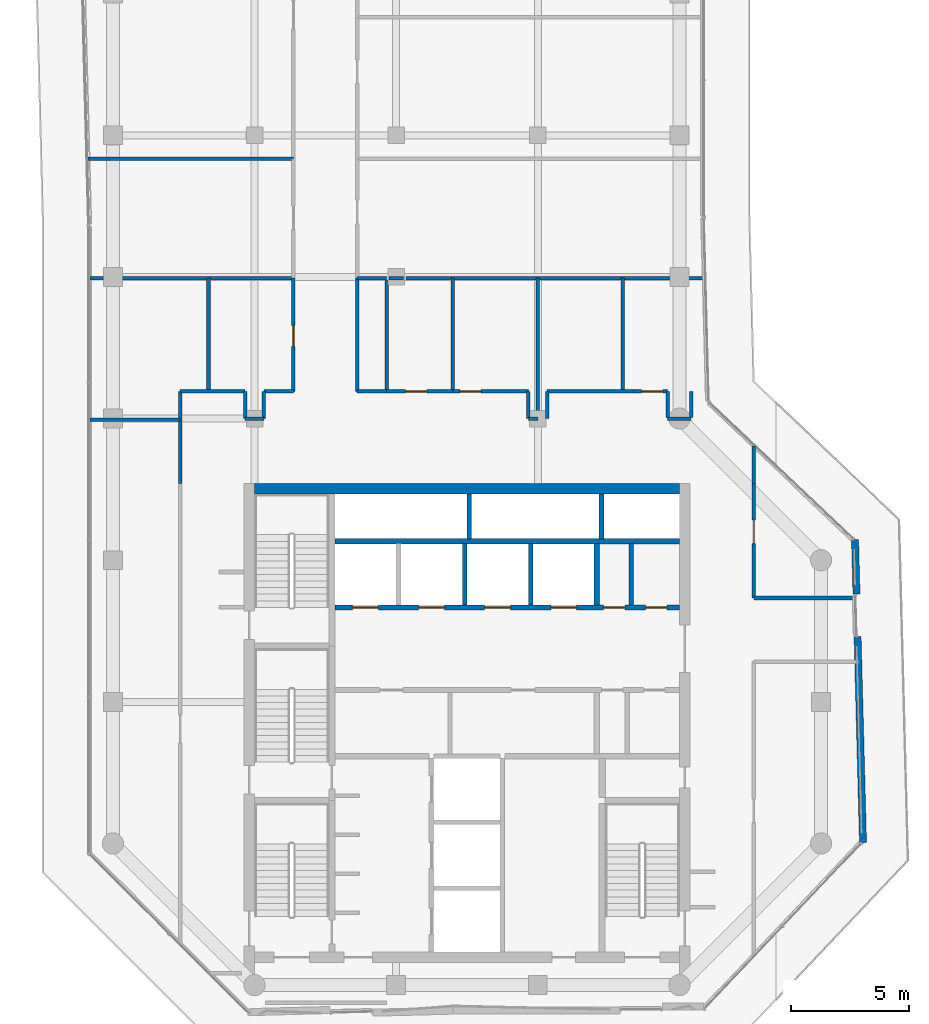
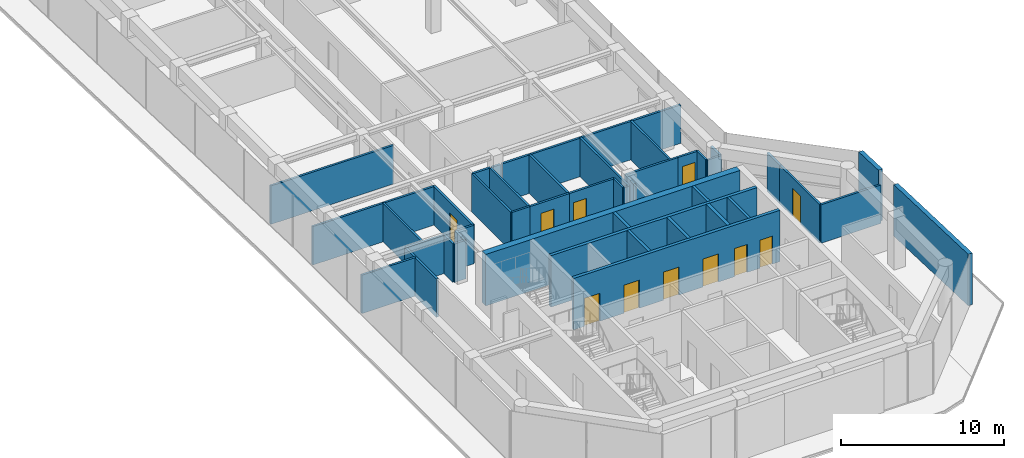
# One storey, part 17 of 20: 44 walls, 11 doors, 11 openings.
"""IFC4 building model written with IfcOpenShell, lengths in metres."""

from ifc_helpers import new_model, si_unit, direction, frame, frame_2d, origin, place, context, subcontext, project, spatial, rectangle, extrude, material, layer, layer_set, type_object, element, fill, save


model = new_model("IFC4")

# Units and contexts
model_context = context("Model", 3, precision=1e-05, world=origin(), true_north=direction((0.0, 1.0)))
body_context = subcontext(model_context, "Body", "Model", "MODEL_VIEW")
ifc_project = project(units=[si_unit("LENGTHUNIT", "METRE"), si_unit("AREAUNIT", "SQUARE_METRE"), si_unit("VOLUMEUNIT", "CUBIC_METRE"), si_unit("PLANEANGLEUNIT", "RADIAN"), si_unit("MASSUNIT", "GRAM", prefix="KILO")], contexts=[model_context])

# Site, building, storey
site_placement = place(None, origin())
site = spatial("IfcSite", under=ifc_project, at=site_placement, CompositionType="ELEMENT")
building_placement = place(site_placement, origin())
building = spatial("IfcBuilding", under=site, at=building_placement, Name="Welwitschia Terrace Campus", CompositionType="ELEMENT")
storey_placement = place(building_placement, frame((0.0, 0.0, 222.199951171875)))
storey = spatial("IfcBuildingStorey", under=building, at=storey_placement, Name="L49", CompositionType="ELEMENT", Elevation=222.199951171875)

# Wall
ifc_material_1 = material(Name="Concrete C32/40", Category="concrete")
ifc_layer_1 = layer(ifc_material_1, 0.175048828125)
ifc_layer_set_1 = layer_set([ifc_layer_1], Name="Concrete C32/40")
wall_type_1 = type_object("IfcWallType", Name="Core partition 175 Concrete C32/40", PredefinedType="PARTITIONING", material=ifc_layer_set_1)
wall_1_placement = place(storey_placement, frame((21.9599609375, 20.10009765625, 0.0), z_axis=(0.0, 0.0, 1.0), x_axis=(0.0, 1.0, 0.0)))
element("IfcWall", 1, at=wall_1_placement, inside=storey, type_object=wall_type_1, Name="Core partition", PredefinedType="PARTITIONING", context=body_context, shape_type="SweptSolid", body=[
    extrude(rectangle(XDim=2.599853515625, YDim=0.175048828125, at=frame_2d((1.2998046875, 0.0))), origin(), (0.0, 0.0, 1.0), 3.85009765625),
])

# Wall, openings, doors
ifc_material_2 = material(Name="Concrete C32/40", Category="concrete")
ifc_layer_2 = layer(ifc_material_2, 0.22509765625)
ifc_layer_set_2 = layer_set([ifc_layer_2], Name="Concrete C32/40")
wall_type_2 = type_object("IfcWallType", Name="Core partition 225 Concrete C32/40", PredefinedType="PARTITIONING", material=ifc_layer_set_2)
wall_2_placement = place(storey_placement, frame((24.0, 20.0, 0.0), z_axis=(0.0, 0.0, 1.0), x_axis=(-1.0, 0.0, 0.0)))
wall_2 = element("IfcWall", 2, at=wall_2_placement, inside=storey, type_object=wall_type_2, Name="Shaft wall", PredefinedType="PARTITIONING", context=body_context, shape_type="SweptSolid", body=[
    extrude(rectangle(XDim=14.60009765625, YDim=0.22509765625, at=frame_2d((7.300048828125, 0.0))), origin(), (0.0, 0.0, 1.0), 3.85009765625),
])
opening_1_placement = place(wall_2_placement, frame((12.75, 0.0, 0.0)))
opening_1 = element("IfcOpeningElement", 3, at=opening_1_placement, cuts=wall_2, Name="Opening LD", PredefinedType="OPENING", context=body_context, shape_type="SweptSolid", body=[
    extrude(rectangle(XDim=1.10009765625, YDim=2.10009765625, at=frame_2d((0.550048828125, 1.050048828125))), frame((0.0, 0.12255859375, 0.0), z_axis=(0.0, -1.0, 0.0), x_axis=(1.0, 0.0, 0.0)), (0.0, 0.0, 1.0), 0.2451171875),
])
opening_2_placement = place(wall_2_placement, frame((9.949951171875, 0.0, 0.0)))
opening_2 = element("IfcOpeningElement", 4, at=opening_2_placement, cuts=wall_2, Name="Opening LD", PredefinedType="OPENING", context=body_context, shape_type="SweptSolid", body=[
    extrude(rectangle(XDim=1.10009765625, YDim=2.10009765625, at=frame_2d((0.550048828125, 1.050048828125))), frame((0.0, 0.12255859375, 0.0), z_axis=(0.0, -1.0, 0.0), x_axis=(1.0, 0.0, 0.0)), (0.0, 0.0, 1.0), 0.2451171875),
])
opening_3_placement = place(wall_2_placement, frame((7.14990234375, 0.0, 0.0)))
opening_3 = element("IfcOpeningElement", 5, at=opening_3_placement, cuts=wall_2, Name="Opening LD", PredefinedType="OPENING", context=body_context, shape_type="SweptSolid", body=[
    extrude(rectangle(XDim=1.10009765625, YDim=2.10009765625, at=frame_2d((0.550048828125, 1.050048828125))), frame((0.0, 0.12255859375, 0.0), z_axis=(0.0, -1.0, 0.0), x_axis=(1.0, 0.0, 0.0)), (0.0, 0.0, 1.0), 0.2451171875),
])
opening_4_placement = place(wall_2_placement, frame((4.35009765625, 0.0, 0.0)))
opening_4 = element("IfcOpeningElement", 6, at=opening_4_placement, cuts=wall_2, Name="Opening LD", PredefinedType="OPENING", context=body_context, shape_type="SweptSolid", body=[
    extrude(rectangle(XDim=1.10009765625, YDim=2.10009765625, at=frame_2d((0.550048828125, 1.050048828125))), frame((0.0, 0.12255859375, 0.0), z_axis=(0.0, -1.0, 0.0), x_axis=(1.0, 0.0, 0.0)), (0.0, 0.0, 1.0), 0.2451171875),
])
opening_5_placement = place(wall_2_placement, frame((2.3076171875, 0.0, 0.0)))
opening_5 = element("IfcOpeningElement", 7, at=opening_5_placement, cuts=wall_2, Name="Opening DR09", PredefinedType="OPENING", context=body_context, shape_type="SweptSolid", body=[
    extrude(rectangle(XDim=0.89990234375, YDim=2.10009765625, at=frame_2d((0.449951171875, 1.050048828125))), frame((0.0, 0.12255859375, 0.0), z_axis=(0.0, -1.0, 0.0), x_axis=(1.0, 0.0, 0.0)), (0.0, 0.0, 1.0), 0.2451171875),
])
opening_6_placement = place(wall_2_placement, frame((0.532470703125, 0.0, 0.0)))
opening_6 = element("IfcOpeningElement", 8, at=opening_6_placement, cuts=wall_2, Name="Opening DR09", PredefinedType="OPENING", context=body_context, shape_type="SweptSolid", body=[
    extrude(rectangle(XDim=0.89990234375, YDim=2.10009765625, at=frame_2d((0.449951171875, 1.050048828125))), frame((0.0, 0.12255859375, 0.0), z_axis=(0.0, -1.0, 0.0), x_axis=(1.0, 0.0, 0.0)), (0.0, 0.0, 1.0), 0.2451171875),
])
ifc_material_3 = material(Name="Steel S275", Category="steel")
door_type_1 = type_object("IfcDoorType", Name="Core door DR09", OperationType="SINGLE_SWING_LEFT", PredefinedType="DOOR", material=ifc_material_3)
door_1_placement = place(opening_5_placement, origin())
door_1 = element("IfcDoor", 9, at=door_1_placement, inside=storey, type_object=door_type_1, Name="Door EH1-D", OperationType="SINGLE_SWING_LEFT", OverallHeight=2.10009765625, OverallWidth=0.89990234375, PredefinedType="DOOR", context=body_context, shape_type="SweptSolid", body=[
    extrude(rectangle(XDim=0.89990234375, YDim=2.10009765625, at=frame_2d((0.449951171875, 1.050048828125))), frame((0.0, 0.02490234375, 0.0), z_axis=(0.0, -1.0, 0.0), x_axis=(1.0, 0.0, 0.0)), (0.0, 0.0, 1.0), 0.050048828125),
])
fill(opening_5, door_1)
door_2_placement = place(opening_6_placement, origin())
door_2 = element("IfcDoor", 10, at=door_2_placement, inside=storey, type_object=door_type_1, Name="Door EH2-D", OperationType="SINGLE_SWING_LEFT", OverallHeight=2.10009765625, OverallWidth=0.89990234375, PredefinedType="DOOR", context=body_context, shape_type="SweptSolid", body=[
    extrude(rectangle(XDim=0.89990234375, YDim=2.10009765625, at=frame_2d((0.449951171875, 1.050048828125))), frame((0.0, 0.02490234375, 0.0), z_axis=(0.0, -1.0, 0.0), x_axis=(1.0, 0.0, 0.0)), (0.0, 0.0, 1.0), 0.050048828125),
])
fill(opening_6, door_2)
ifc_material_4 = material(Name="Stainless steel 304", Category="steel")
door_type_2 = type_object("IfcDoorType", Name="Lift landing door", OperationType="DOUBLE_DOOR_SLIDING", PredefinedType="DOOR", material=ifc_material_4)
door_3_placement = place(opening_1_placement, origin())
door_3 = element("IfcDoor", 11, at=door_3_placement, inside=storey, type_object=door_type_2, Name="Landing door HR1", OperationType="DOUBLE_DOOR_SLIDING", OverallHeight=2.10009765625, OverallWidth=1.10009765625, PredefinedType="DOOR", context=body_context, shape_type="SweptSolid", body=[
    extrude(rectangle(XDim=1.10009765625, YDim=2.10009765625, at=frame_2d((0.550048828125, 1.050048828125))), frame((0.0, 0.02490234375, 0.0), z_axis=(0.0, -1.0, 0.0), x_axis=(1.0, 0.0, 0.0)), (0.0, 0.0, 1.0), 0.050048828125),
])
fill(opening_1, door_3)
door_4_placement = place(opening_2_placement, origin())
door_4 = element("IfcDoor", 12, at=door_4_placement, inside=storey, type_object=door_type_2, Name="Landing door HR2", OperationType="DOUBLE_DOOR_SLIDING", OverallHeight=2.10009765625, OverallWidth=1.10009765625, PredefinedType="DOOR", context=body_context, shape_type="SweptSolid", body=[
    extrude(rectangle(XDim=1.10009765625, YDim=2.10009765625, at=frame_2d((0.550048828125, 1.050048828125))), frame((0.0, 0.02490234375, 0.0), z_axis=(0.0, -1.0, 0.0), x_axis=(1.0, 0.0, 0.0)), (0.0, 0.0, 1.0), 0.050048828125),
])
fill(opening_2, door_4)
door_5_placement = place(opening_3_placement, origin())
door_5 = element("IfcDoor", 13, at=door_5_placement, inside=storey, type_object=door_type_2, Name="Landing door HR3", OperationType="DOUBLE_DOOR_SLIDING", OverallHeight=2.10009765625, OverallWidth=1.10009765625, PredefinedType="DOOR", context=body_context, shape_type="SweptSolid", body=[
    extrude(rectangle(XDim=1.10009765625, YDim=2.10009765625, at=frame_2d((0.550048828125, 1.050048828125))), frame((0.0, 0.02490234375, 0.0), z_axis=(0.0, -1.0, 0.0), x_axis=(1.0, 0.0, 0.0)), (0.0, 0.0, 1.0), 0.050048828125),
])
fill(opening_3, door_5)
door_6_placement = place(opening_4_placement, origin())
door_6 = element("IfcDoor", 14, at=door_6_placement, inside=storey, type_object=door_type_2, Name="Landing door HR4", OperationType="DOUBLE_DOOR_SLIDING", OverallHeight=2.10009765625, OverallWidth=1.10009765625, PredefinedType="DOOR", context=body_context, shape_type="SweptSolid", body=[
    extrude(rectangle(XDim=1.10009765625, YDim=2.10009765625, at=frame_2d((0.550048828125, 1.050048828125))), frame((0.0, 0.02490234375, 0.0), z_axis=(0.0, -1.0, 0.0), x_axis=(1.0, 0.0, 0.0)), (0.0, 0.0, 1.0), 0.050048828125),
])
fill(opening_4, door_6)

# Walls
wall_3_placement = place(storey_placement, frame((9.39990234375, 22.800048828125, 0.0), z_axis=(0.0, 0.0, 1.0), x_axis=(1.0, 0.0, 0.0)))
element("IfcWall", 15, at=wall_3_placement, inside=storey, type_object=wall_type_2, Name="Shaft wall", PredefinedType="PARTITIONING", context=body_context, shape_type="SweptSolid", body=[
    extrude(rectangle(XDim=14.60009765625, YDim=0.22509765625, at=frame_2d((7.300048828125, 0.0))), origin(), (0.0, 0.0, 1.0), 3.85009765625),
])
wall_4_placement = place(storey_placement, frame((20.5, 20.10009765625, 0.0), z_axis=(0.0, 0.0, 1.0), x_axis=(0.0, 1.0, 0.0)))
element("IfcWall", 16, at=wall_4_placement, inside=storey, type_object=wall_type_2, Name="Shaft wall", PredefinedType="PARTITIONING", context=body_context, shape_type="SweptSolid", body=[
    extrude(rectangle(XDim=2.599853515625, YDim=0.22509765625, at=frame_2d((1.2998046875, 0.0))), origin(), (0.0, 0.0, 1.0), 3.85009765625),
])
ifc_material_5 = material(Name="Concrete C50/60", Category="concrete")
ifc_layer_3 = layer(ifc_material_5, 0.199951171875)
ifc_layer_set_3 = layer_set([ifc_layer_3], Name="Concrete C50/60")
wall_type_3 = type_object("IfcWallType", Name="Core wall 200 Concrete C50/60", PredefinedType="SHEAR", material=ifc_layer_set_3)
for number, where, z_axis, x_axis, name in (
    (17, (15.10009765625, 22.89990234375, 0.0), (0.0, 0.0, 1.0), (0.0, 1.0, 0.0), "Core wall"),
    (18, (20.699951171875, 22.89990234375, 0.0), (0.0, 0.0, 1.0), (0.0, 1.0, 0.0), "Core wall"),
):
    element("IfcWall", number, at=place(storey_placement, frame(where, z_axis=z_axis, x_axis=x_axis)), inside=storey, type_object=wall_type_3, Name=name, PredefinedType="SHEAR", context=body_context, shape_type="SweptSolid", body=[
        extrude(rectangle(XDim=1.900146484375, YDim=0.199951171875, at=frame_2d((0.9501953125, 0.0))), origin(), (0.0, 0.0, 1.0), 3.85009765625),
    ])
ifc_material_6 = material(Name="Concrete C60/75", Category="concrete")
ifc_layer_4 = layer(ifc_material_6, 0.449951171875)
ifc_layer_set_4 = layer_set([ifc_layer_4], Name="Concrete C60/75")
wall_type_4 = type_object("IfcWallType", Name="Core wall 450 Concrete C60/75", PredefinedType="SHEAR", material=ifc_layer_set_4)
wall_5_placement = place(storey_placement, frame((6.0, 25.02490234375, 0.0), z_axis=(0.0, 0.0, 1.0), x_axis=(1.0, 0.0, 0.0)))
element("IfcWall", 19, at=wall_5_placement, inside=storey, type_object=wall_type_4, Name="Core outer wall", PredefinedType="SHEAR", context=body_context, shape_type="SweptSolid", body=[
    extrude(rectangle(XDim=18.0, YDim=0.449951171875, at=frame_2d((9.0, 0.0))), origin(), (0.0, 0.0, 1.0), 3.85009765625),
])
ifc_material_7 = material(Name="Gypsum board on steel studs", Category="steel")
ifc_layer_5 = layer(ifc_material_7, 0.14990234375)
ifc_layer_set_5 = layer_set([ifc_layer_5], Name="Gypsum board on steel studs")
wall_type_5 = type_object("IfcWallType", Name="Corridor partition 150 EI 30", PredefinedType="PARTITIONING", material=ifc_layer_set_5)
wall_6_placement = place(storey_placement, frame((-1.050048828125, 39.0, 0.0), z_axis=(0.0, 0.0, 1.0), x_axis=(1.0, 0.0, 0.0)))
element("IfcWall", 20, at=wall_6_placement, inside=storey, type_object=wall_type_5, Name="Partition", PredefinedType="PARTITIONING", context=body_context, shape_type="SweptSolid", body=[
    extrude(rectangle(XDim=8.699951171875, YDim=0.14990234375, at=frame_2d((4.35009765625, 0.0))), origin(), (0.0, 0.0, 1.0), 2.880126953125),
])
wall_7_placement = place(storey_placement, frame((-0.97998046875, 27.949951171875, 0.0), z_axis=(0.0, 0.0, 1.0), x_axis=(1.0, 0.0, 0.0)))
element("IfcWall", 21, at=wall_7_placement, inside=storey, type_object=wall_type_5, Name="Partition", PredefinedType="PARTITIONING", context=body_context, shape_type="SweptSolid", body=[
    extrude(rectangle(XDim=3.830078125, YDim=0.14990234375, at=frame_2d((1.9150390625, 0.0))), origin(), (0.0, 0.0, 1.0), 2.880126953125),
])
wall_8_placement = place(storey_placement, frame((-0.97998046875, 33.949951171875, 0.0), z_axis=(0.0, 0.0, 1.0), x_axis=(1.0, 0.0, 0.0)))
element("IfcWall", 22, at=wall_8_placement, inside=storey, type_object=wall_type_5, Name="Partition", PredefinedType="PARTITIONING", context=body_context, shape_type="SweptSolid", body=[
    extrude(rectangle(XDim=8.6298828125, YDim=0.14990234375, at=frame_2d((4.31494140625, 0.0))), origin(), (0.0, 0.0, 1.0), 2.880126953125),
])
wall_9_placement = place(storey_placement, frame((2.85009765625, 25.25, 0.0), z_axis=(0.0, 0.0, 1.0), x_axis=(0.0, 1.0, 0.0)))
element("IfcWall", 23, at=wall_9_placement, inside=storey, type_object=wall_type_5, Name="Partition", PredefinedType="PARTITIONING", context=body_context, shape_type="SweptSolid", body=[
    extrude(rectangle(XDim=3.89990234375, YDim=0.14990234375, at=frame_2d((1.949951171875, 0.0))), origin(), (0.0, 0.0, 1.0), 2.880126953125),
])
wall_10_placement = place(storey_placement, frame((2.85009765625, 29.14990234375, 0.0), z_axis=(0.0, 0.0, 1.0), x_axis=(1.0, 0.0, 0.0)))
element("IfcWall", 24, at=wall_10_placement, inside=storey, type_object=wall_type_5, Name="Partition", PredefinedType="PARTITIONING", context=body_context, shape_type="SweptSolid", body=[
    extrude(rectangle(XDim=2.75, YDim=0.14990234375, at=frame_2d((1.375, 0.0))), origin(), (0.0, 0.0, 1.0), 2.880126953125),
])
wall_11_placement = place(storey_placement, frame((4.050048828125, 29.14990234375, 0.0), z_axis=(0.0, 0.0, 1.0), x_axis=(0.0, 1.0, 0.0)))
element("IfcWall", 25, at=wall_11_placement, inside=storey, type_object=wall_type_5, Name="Partition", PredefinedType="PARTITIONING", context=body_context, shape_type="SweptSolid", body=[
    extrude(rectangle(XDim=4.800048828125, YDim=0.14990234375, at=frame_2d((2.39990234375, 0.0))), origin(), (0.0, 0.0, 1.0), 2.880126953125),
])
wall_12_placement = place(storey_placement, frame((5.60009765625, 28.0, 0.0), z_axis=(0.0, 0.0, 1.0), x_axis=(0.0, 1.0, 0.0)))
element("IfcWall", 26, at=wall_12_placement, inside=storey, type_object=wall_type_5, Name="Partition", PredefinedType="PARTITIONING", context=body_context, shape_type="SweptSolid", body=[
    extrude(rectangle(XDim=1.14990234375, YDim=0.14990234375, at=frame_2d((0.574951171875, 0.0))), origin(), (0.0, 0.0, 1.0), 2.880126953125),
])
wall_13_placement = place(storey_placement, frame((5.60009765625, 28.0, 0.0), z_axis=(0.0, 0.0, 1.0), x_axis=(1.0, 0.0, 0.0)))
element("IfcWall", 27, at=wall_13_placement, inside=storey, type_object=wall_type_5, Name="Partition", PredefinedType="PARTITIONING", context=body_context, shape_type="SweptSolid", body=[
    extrude(rectangle(XDim=0.7998046875, YDim=0.14990234375, at=frame_2d((0.39990234375, 0.0))), origin(), (0.0, 0.0, 1.0), 2.880126953125),
])
wall_14_placement = place(storey_placement, frame((6.39990234375, 28.0, 0.0), z_axis=(0.0, 0.0, 1.0), x_axis=(0.0, 1.0, 0.0)))
element("IfcWall", 28, at=wall_14_placement, inside=storey, type_object=wall_type_5, Name="Partition", PredefinedType="PARTITIONING", context=body_context, shape_type="SweptSolid", body=[
    extrude(rectangle(XDim=1.14990234375, YDim=0.14990234375, at=frame_2d((0.574951171875, 0.0))), origin(), (0.0, 0.0, 1.0), 2.880126953125),
])
wall_15_placement = place(storey_placement, frame((6.39990234375, 29.14990234375, 0.0), z_axis=(0.0, 0.0, 1.0), x_axis=(1.0, 0.0, 0.0)))
element("IfcWall", 29, at=wall_15_placement, inside=storey, type_object=wall_type_5, Name="Partition", PredefinedType="PARTITIONING", context=body_context, shape_type="SweptSolid", body=[
    extrude(rectangle(XDim=1.25, YDim=0.14990234375, at=frame_2d((0.625, 0.0))), origin(), (0.0, 0.0, 1.0), 2.880126953125),
])

# Wall, opening, door
wall_16_placement = place(storey_placement, frame((7.64990234375, 29.14990234375, 0.0), z_axis=(0.0, 0.0, 1.0), x_axis=(0.0, 1.0, 0.0)))
wall_16 = element("IfcWall", 30, at=wall_16_placement, inside=storey, type_object=wall_type_5, Name="Partition", PredefinedType="PARTITIONING", context=body_context, shape_type="SweptSolid", body=[
    extrude(rectangle(XDim=4.800048828125, YDim=0.14990234375, at=frame_2d((2.39990234375, 0.0))), origin(), (0.0, 0.0, 1.0), 2.880126953125),
])
opening_7_placement = place(wall_16_placement, frame((1.89990234375, 0.0, 0.0)))
opening_7 = element("IfcOpeningElement", 31, at=opening_7_placement, cuts=wall_16, Name="Opening DI09", PredefinedType="OPENING", context=body_context, shape_type="SweptSolid", body=[
    extrude(rectangle(XDim=0.89990234375, YDim=2.10009765625, at=frame_2d((0.449951171875, 1.050048828125))), frame((0.0, 0.0849609375, 0.0), z_axis=(0.0, -1.0, 0.0), x_axis=(1.0, 0.0, 0.0)), (0.0, 0.0, 1.0), 0.169921875),
])
ifc_material_8 = material(Name="Timber veneered door", Category="wood")
door_type_3 = type_object("IfcDoorType", Name="Interior door DI09", OperationType="NOTDEFINED", PredefinedType="DOOR", material=ifc_material_8)
door_7_placement = place(opening_7_placement, origin())
door_7 = element("IfcDoor", 32, at=door_7_placement, inside=storey, type_object=door_type_3, Name="Door L49 915", OperationType="SINGLE_SWING_RIGHT", OverallHeight=2.10009765625, OverallWidth=0.89990234375, PredefinedType="DOOR", context=body_context, shape_type="SweptSolid", body=[
    extrude(rectangle(XDim=0.89990234375, YDim=2.10009765625, at=frame_2d((0.449951171875, 1.050048828125))), frame((0.0, 0.02490234375, 0.0), z_axis=(0.0, -1.0, 0.0), x_axis=(1.0, 0.0, 0.0)), (0.0, 0.0, 1.0), 0.050048828125),
])
fill(opening_7, door_7)

# Walls
wall_17_placement = place(storey_placement, frame((10.35009765625, 29.14990234375, 0.0), z_axis=(0.0, 0.0, 1.0), x_axis=(0.0, 1.0, 0.0)))
element("IfcWall", 33, at=wall_17_placement, inside=storey, type_object=wall_type_5, Name="Partition", PredefinedType="PARTITIONING", context=body_context, shape_type="SweptSolid", body=[
    extrude(rectangle(XDim=4.800048828125, YDim=0.14990234375, at=frame_2d((2.39990234375, 0.0))), origin(), (0.0, 0.0, 1.0), 2.880126953125),
])
wall_18_placement = place(storey_placement, frame((10.35009765625, 29.14990234375, 0.0), z_axis=(0.0, 0.0, 1.0), x_axis=(1.0, 0.0, 0.0)))
element("IfcWall", 34, at=wall_18_placement, inside=storey, type_object=wall_type_5, Name="Partition", PredefinedType="PARTITIONING", context=body_context, shape_type="SweptSolid", body=[
    extrude(rectangle(XDim=1.25, YDim=0.14990234375, at=frame_2d((0.625, 0.0))), origin(), (0.0, 0.0, 1.0), 2.880126953125),
])
wall_19_placement = place(storey_placement, frame((10.35009765625, 33.949951171875, 0.0), z_axis=(0.0, 0.0, 1.0), x_axis=(1.0, 0.0, 0.0)))
element("IfcWall", 35, at=wall_19_placement, inside=storey, type_object=wall_type_5, Name="Partition", PredefinedType="PARTITIONING", context=body_context, shape_type="SweptSolid", body=[
    extrude(rectangle(XDim=1.241943359375, YDim=0.14990234375, at=frame_2d((0.62109375, 0.0))), origin(), (0.0, 0.0, 1.0), 2.880126953125),
])
wall_20_placement = place(storey_placement, frame((11.60009765625, 29.14990234375, 0.0), z_axis=(0.0, 0.0, 1.0), x_axis=(0.0, 1.0, 0.0)))
element("IfcWall", 36, at=wall_20_placement, inside=storey, type_object=wall_type_5, Name="Partition", PredefinedType="PARTITIONING", context=body_context, shape_type="SweptSolid", body=[
    extrude(rectangle(XDim=4.72021484375, YDim=0.14990234375, at=frame_2d((2.360107421875, 0.0))), origin(), (0.0, 0.0, 1.0), 2.880126953125),
])

# Wall, opening, door
wall_21_placement = place(storey_placement, frame((11.60009765625, 29.14990234375, 0.0), z_axis=(0.0, 0.0, 1.0), x_axis=(1.0, 0.0, 0.0)))
wall_21 = element("IfcWall", 37, at=wall_21_placement, inside=storey, type_object=wall_type_5, Name="Partition", PredefinedType="PARTITIONING", context=body_context, shape_type="SweptSolid", body=[
    extrude(rectangle(XDim=2.7998046875, YDim=0.14990234375, at=frame_2d((1.39990234375, 0.0))), origin(), (0.0, 0.0, 1.0), 2.880126953125),
])
opening_8_placement = place(wall_21_placement, frame((0.800048828125, 0.0, 0.0)))
opening_8 = element("IfcOpeningElement", 38, at=opening_8_placement, cuts=wall_21, Name="Opening DI09", PredefinedType="OPENING", context=body_context, shape_type="SweptSolid", body=[
    extrude(rectangle(XDim=0.89990234375, YDim=2.10009765625, at=frame_2d((0.449951171875, 1.050048828125))), frame((0.0, 0.0849609375, 0.0), z_axis=(0.0, -1.0, 0.0), x_axis=(1.0, 0.0, 0.0)), (0.0, 0.0, 1.0), 0.169921875),
])
door_8_placement = place(opening_8_placement, origin())
door_8 = element("IfcDoor", 39, at=door_8_placement, inside=storey, type_object=door_type_3, Name="Door L49 926", OperationType="SINGLE_SWING_LEFT", OverallHeight=2.10009765625, OverallWidth=0.89990234375, PredefinedType="DOOR", context=body_context, shape_type="SweptSolid", body=[
    extrude(rectangle(XDim=0.89990234375, YDim=2.10009765625, at=frame_2d((0.449951171875, 1.050048828125))), frame((0.0, 0.02490234375, 0.0), z_axis=(0.0, -1.0, 0.0), x_axis=(1.0, 0.0, 0.0)), (0.0, 0.0, 1.0), 0.050048828125),
])
fill(opening_8, door_8)

# Walls
wall_22_placement = place(storey_placement, frame((11.695556640625, 33.949951171875, 0.0), z_axis=(0.0, 0.0, 1.0), x_axis=(1.0, 0.0, 0.0)))
element("IfcWall", 40, at=wall_22_placement, inside=storey, type_object=wall_type_5, Name="Partition", PredefinedType="PARTITIONING", context=body_context, shape_type="SweptSolid", body=[
    extrude(rectangle(XDim=0.620849609375, YDim=0.14990234375, at=frame_2d((0.310546875, 0.0))), origin(), (0.0, 0.0, 1.0), 2.880126953125),
])
wall_23_placement = place(storey_placement, frame((12.419921875, 33.949951171875, 0.0), z_axis=(0.0, 0.0, 1.0), x_axis=(1.0, 0.0, 0.0)))
element("IfcWall", 41, at=wall_23_placement, inside=storey, type_object=wall_type_5, Name="Partition", PredefinedType="PARTITIONING", context=body_context, shape_type="SweptSolid", body=[
    extrude(rectangle(XDim=12.630126953125, YDim=0.14990234375, at=frame_2d((6.31494140625, 0.0))), origin(), (0.0, 0.0, 1.0), 2.880126953125),
])
wall_24_placement = place(storey_placement, frame((14.39990234375, 29.14990234375, 0.0), z_axis=(0.0, 0.0, 1.0), x_axis=(0.0, 1.0, 0.0)))
element("IfcWall", 42, at=wall_24_placement, inside=storey, type_object=wall_type_5, Name="Partition", PredefinedType="PARTITIONING", context=body_context, shape_type="SweptSolid", body=[
    extrude(rectangle(XDim=4.800048828125, YDim=0.14990234375, at=frame_2d((2.39990234375, 0.0))), origin(), (0.0, 0.0, 1.0), 2.880126953125),
])

# Wall, opening, door
wall_25_placement = place(storey_placement, frame((14.39990234375, 29.14990234375, 0.0), z_axis=(0.0, 0.0, 1.0), x_axis=(1.0, 0.0, 0.0)))
wall_25 = element("IfcWall", 43, at=wall_25_placement, inside=storey, type_object=wall_type_5, Name="Partition", PredefinedType="PARTITIONING", context=body_context, shape_type="SweptSolid", body=[
    extrude(rectangle(XDim=3.2001953125, YDim=0.14990234375, at=frame_2d((1.60009765625, 0.0))), origin(), (0.0, 0.0, 1.0), 2.880126953125),
])
opening_9_placement = place(wall_25_placement, frame((0.300048828125, 0.0, 0.0)))
opening_9 = element("IfcOpeningElement", 44, at=opening_9_placement, cuts=wall_25, Name="Opening DI09", PredefinedType="OPENING", context=body_context, shape_type="SweptSolid", body=[
    extrude(rectangle(XDim=0.89990234375, YDim=2.10009765625, at=frame_2d((0.449951171875, 1.050048828125))), frame((0.0, 0.0849609375, 0.0), z_axis=(0.0, -1.0, 0.0), x_axis=(1.0, 0.0, 0.0)), (0.0, 0.0, 1.0), 0.169921875),
])
door_9_placement = place(opening_9_placement, origin())
door_9 = element("IfcDoor", 45, at=door_9_placement, inside=storey, type_object=door_type_3, Name="Door L49 927", OperationType="SINGLE_SWING_RIGHT", OverallHeight=2.10009765625, OverallWidth=0.89990234375, PredefinedType="DOOR", context=body_context, shape_type="SweptSolid", body=[
    extrude(rectangle(XDim=0.89990234375, YDim=2.10009765625, at=frame_2d((0.449951171875, 1.050048828125))), frame((0.0, 0.02490234375, 0.0), z_axis=(0.0, -1.0, 0.0), x_axis=(1.0, 0.0, 0.0)), (0.0, 0.0, 1.0), 0.050048828125),
])
fill(opening_9, door_9)

# Walls
wall_26_placement = place(storey_placement, frame((17.60009765625, 28.0, 0.0), z_axis=(0.0, 0.0, 1.0), x_axis=(0.0, 1.0, 0.0)))
element("IfcWall", 46, at=wall_26_placement, inside=storey, type_object=wall_type_5, Name="Partition", PredefinedType="PARTITIONING", context=body_context, shape_type="SweptSolid", body=[
    extrude(rectangle(XDim=1.14990234375, YDim=0.14990234375, at=frame_2d((0.574951171875, 0.0))), origin(), (0.0, 0.0, 1.0), 2.880126953125),
])
wall_27_placement = place(storey_placement, frame((17.60009765625, 28.0, 0.0), z_axis=(0.0, 0.0, 1.0), x_axis=(1.0, 0.0, 0.0)))
element("IfcWall", 47, at=wall_27_placement, inside=storey, type_object=wall_type_5, Name="Partition", PredefinedType="PARTITIONING", context=body_context, shape_type="SweptSolid", body=[
    extrude(rectangle(XDim=0.39990234375, YDim=0.14990234375, at=frame_2d((0.199951171875, 0.0))), origin(), (0.0, 0.0, 1.0), 2.880126953125),
])
wall_28_placement = place(storey_placement, frame((18.0, 28.0, 0.0), z_axis=(0.0, 0.0, 1.0), x_axis=(0.0, 1.0, 0.0)))
element("IfcWall", 48, at=wall_28_placement, inside=storey, type_object=wall_type_5, Name="Partition", PredefinedType="PARTITIONING", context=body_context, shape_type="SweptSolid", body=[
    extrude(rectangle(XDim=5.949951171875, YDim=0.14990234375, at=frame_2d((2.97509765625, 0.0))), origin(), (0.0, 0.0, 1.0), 2.880126953125),
])
wall_29_placement = place(storey_placement, frame((18.39990234375, 28.0, 0.0), z_axis=(0.0, 0.0, 1.0), x_axis=(0.0, 1.0, 0.0)))
element("IfcWall", 49, at=wall_29_placement, inside=storey, type_object=wall_type_5, Name="Partition", PredefinedType="PARTITIONING", context=body_context, shape_type="SweptSolid", body=[
    extrude(rectangle(XDim=1.14990234375, YDim=0.14990234375, at=frame_2d((0.574951171875, 0.0))), origin(), (0.0, 0.0, 1.0), 2.880126953125),
])
wall_30_placement = place(storey_placement, frame((18.39990234375, 29.14990234375, 0.0), z_axis=(0.0, 0.0, 1.0), x_axis=(1.0, 0.0, 0.0)))
element("IfcWall", 50, at=wall_30_placement, inside=storey, type_object=wall_type_5, Name="Partition", PredefinedType="PARTITIONING", context=body_context, shape_type="SweptSolid", body=[
    extrude(rectangle(XDim=3.670166015625, YDim=0.14990234375, at=frame_2d((1.8349609375, 0.0))), origin(), (0.0, 0.0, 1.0), 2.880126953125),
])
wall_31_placement = place(storey_placement, frame((21.590087890625, 29.14990234375, 0.0), z_axis=(0.0, 0.0, 1.0), x_axis=(0.0, 1.0, 0.0)))
element("IfcWall", 51, at=wall_31_placement, inside=storey, type_object=wall_type_5, Name="Partition", PredefinedType="PARTITIONING", context=body_context, shape_type="SweptSolid", body=[
    extrude(rectangle(XDim=4.800048828125, YDim=0.14990234375, at=frame_2d((2.39990234375, 0.0))), origin(), (0.0, 0.0, 1.0), 2.880126953125),
])

# Wall, opening, door
wall_32_placement = place(storey_placement, frame((22.070068359375, 29.14990234375, 0.0), z_axis=(0.0, 0.0, 1.0), x_axis=(1.0, 0.0, 0.0)))
wall_32 = element("IfcWall", 52, at=wall_32_placement, inside=storey, type_object=wall_type_5, Name="Partition", PredefinedType="PARTITIONING", context=body_context, shape_type="SweptSolid", body=[
    extrude(rectangle(XDim=1.429931640625, YDim=0.14990234375, at=frame_2d((0.71484375, 0.0))), origin(), (0.0, 0.0, 1.0), 2.880126953125),
])
opening_10_placement = place(wall_32_placement, frame((0.330078125, 0.0, 0.0)))
opening_10 = element("IfcOpeningElement", 53, at=opening_10_placement, cuts=wall_32, Name="Opening DI09", PredefinedType="OPENING", context=body_context, shape_type="SweptSolid", body=[
    extrude(rectangle(XDim=0.89990234375, YDim=2.10009765625, at=frame_2d((0.449951171875, 1.050048828125))), frame((0.0, 0.0849609375, 0.0), z_axis=(0.0, -1.0, 0.0), x_axis=(1.0, 0.0, 0.0)), (0.0, 0.0, 1.0), 0.169921875),
])
door_10_placement = place(opening_10_placement, origin())
door_10 = element("IfcDoor", 54, at=door_10_placement, inside=storey, type_object=door_type_3, Name="Door L49 928", OperationType="SINGLE_SWING_LEFT", OverallHeight=2.10009765625, OverallWidth=0.89990234375, PredefinedType="DOOR", context=body_context, shape_type="SweptSolid", body=[
    extrude(rectangle(XDim=0.89990234375, YDim=2.10009765625, at=frame_2d((0.449951171875, 1.050048828125))), frame((0.0, 0.02490234375, 0.0), z_axis=(0.0, -1.0, 0.0), x_axis=(1.0, 0.0, 0.0)), (0.0, 0.0, 1.0), 0.050048828125),
])
fill(opening_10, door_10)

# Walls
wall_33_placement = place(storey_placement, frame((23.5, 28.0, 0.0), z_axis=(0.0, 0.0, 1.0), x_axis=(1.0, 0.0, 0.0)))
element("IfcWall", 55, at=wall_33_placement, inside=storey, type_object=wall_type_5, Name="Partition", PredefinedType="PARTITIONING", context=body_context, shape_type="SweptSolid", body=[
    extrude(rectangle(XDim=1.0, YDim=0.14990234375, at=frame_2d((0.5, 0.0))), origin(), (0.0, 0.0, 1.0), 2.880126953125),
])
for number, where, z_axis, x_axis, name in (
    (56, (23.5, 28.050048828125, 0.0), (0.0, 0.0, 1.0), (0.0, 1.0, 0.0), "Partition"),
    (57, (24.5, 28.050048828125, 0.0), (0.0, 0.0, 1.0), (0.0, 1.0, 0.0), "Partition"),
):
    element("IfcWall", number, at=place(storey_placement, frame(where, z_axis=z_axis, x_axis=x_axis)), inside=storey, type_object=wall_type_5, Name=name, PredefinedType="PARTITIONING", context=body_context, shape_type="SweptSolid", body=[
        extrude(rectangle(XDim=1.099853515625, YDim=0.14990234375, at=frame_2d((0.5498046875, 0.0))), origin(), (0.0, 0.0, 1.0), 2.880126953125),
    ])
wall_34_placement = place(storey_placement, frame((27.14990234375, 20.39990234375, 0.0), z_axis=(0.0, 0.0, 1.0), x_axis=(1.0, 0.0, 0.0)))
element("IfcWall", 58, at=wall_34_placement, inside=storey, type_object=wall_type_5, Name="Partition", PredefinedType="PARTITIONING", context=body_context, shape_type="SweptSolid", body=[
    extrude(rectangle(XDim=4.236083984375, YDim=0.14990234375, at=frame_2d((2.1181640625, 0.0))), origin(), (0.0, 0.0, 1.0), 2.880126953125),
])

# Wall, opening, door
wall_35_placement = place(storey_placement, frame((27.14990234375, 25.25, 0.0), z_axis=(0.0, 0.0, 1.0), x_axis=(0.0, -1.0, 0.0)))
wall_35 = element("IfcWall", 59, at=wall_35_placement, inside=storey, type_object=wall_type_5, Name="Partition", PredefinedType="PARTITIONING", context=body_context, shape_type="SweptSolid", body=[
    extrude(rectangle(XDim=4.85009765625, YDim=0.14990234375, at=frame_2d((2.425048828125, 0.0))), origin(), (0.0, 0.0, 1.0), 2.880126953125),
])
opening_11_placement = place(wall_35_placement, frame((1.550048828125, 0.0, 0.0)))
opening_11 = element("IfcOpeningElement", 60, at=opening_11_placement, cuts=wall_35, Name="Opening DI10", PredefinedType="OPENING", context=body_context, shape_type="SweptSolid", body=[
    extrude(rectangle(XDim=1.0, YDim=2.10009765625, at=frame_2d((0.5, 1.050048828125))), frame((0.0, 0.0849609375, 0.0), z_axis=(0.0, -1.0, 0.0), x_axis=(1.0, 0.0, 0.0)), (0.0, 0.0, 1.0), 0.169921875),
])
ifc_material_9 = material(Name="Timber veneered door", Category="wood")
door_type_4 = type_object("IfcDoorType", Name="Interior door DI10", OperationType="NOTDEFINED", PredefinedType="DOOR", material=ifc_material_9)
door_11_placement = place(opening_11_placement, origin())
door_11 = element("IfcDoor", 61, at=door_11_placement, inside=storey, type_object=door_type_4, Name="Door L49 930", OperationType="SINGLE_SWING_LEFT", OverallHeight=2.10009765625, OverallWidth=1.0, PredefinedType="DOOR", context=body_context, shape_type="SweptSolid", body=[
    extrude(rectangle(XDim=1.0, YDim=2.10009765625, at=frame_2d((0.5, 1.050048828125))), frame((0.0, 0.02490234375, 0.0), z_axis=(0.0, -1.0, 0.0), x_axis=(1.0, 0.0, 0.0)), (0.0, 0.0, 1.0), 0.050048828125),
])
fill(opening_11, door_11)

# Walls
wall_36_placement = place(storey_placement, frame((27.14990234375, 25.25, 0.0), z_axis=(0.0, 0.0, 1.0), x_axis=(0.0, 1.0, 0.0)))
element("IfcWall", 62, at=wall_36_placement, inside=storey, type_object=wall_type_5, Name="Partition", PredefinedType="PARTITIONING", context=body_context, shape_type="SweptSolid", body=[
    extrude(rectangle(XDim=1.580078125, YDim=0.14990234375, at=frame_2d((0.7900390625, 0.0))), origin(), (0.0, 0.0, 1.0), 2.880126953125),
])
ifc_material_10 = material(Name="Concrete C40/50", Category="concrete")
ifc_layer_6 = layer(ifc_material_10, 0.300048828125)
ifc_layer_set_6 = layer_set([ifc_layer_6], Name="Concrete C40/50")
wall_type_6 = type_object("IfcWallType", Name="Mass wall 300", PredefinedType="SOLIDWALL", material=ifc_layer_set_6)
wall_37_placement = place(storey_placement, frame((31.775634765625, 10.0302734375, 0.0), z_axis=(0.0, 0.0, 1.0), x_axis=(-0.026145807667, 0.999658139937, 0.0)))
element("IfcWall", 63, at=wall_37_placement, inside=storey, type_object=wall_type_6, Name="Mass wall L49.5.0", PredefinedType="SOLIDWALL", context=body_context, shape_type="SweptSolid", body=[
    extrude(rectangle(XDim=8.739990234375, YDim=0.300048828125, at=frame_2d((4.3701171875, 0.0))), origin(), (0.0, 0.0, 1.0), 3.85009765625),
])
wall_38_placement = place(storey_placement, frame((31.499755859375, 20.566650390625, 0.0), z_axis=(0.0, 0.0, 1.0), x_axis=(-0.026173462756, 0.999657416242, 0.0)))
element("IfcWall", 64, at=wall_38_placement, inside=storey, type_object=wall_type_6, Name="Mass wall L49.5.1", PredefinedType="SOLIDWALL", context=body_context, shape_type="SweptSolid", body=[
    extrude(rectangle(XDim=2.313232421875, YDim=0.300048828125, at=frame_2d((1.15673828125, 0.0))), origin(), (0.0, 0.0, 1.0), 3.85009765625),
])
ifc_material_11 = material(Name="Concrete C32/40", Category="concrete")
ifc_layer_7 = layer(ifc_material_11, 0.199951171875)
ifc_layer_set_7 = layer_set([ifc_layer_7], Name="Concrete C32/40")
wall_type_7 = type_object("IfcWallType", Name="Shaft wall 200 Concrete C32/40", PredefinedType="SOLIDWALL", material=ifc_layer_set_7)
for number, where, z_axis, x_axis, name in (
    (65, (14.89990234375, 20.10009765625, 0.0), (0.0, 0.0, 1.0), (0.0, 1.0, 0.0), "Shaft wall"),
    (66, (17.699951171875, 20.10009765625, 0.0), (0.0, 0.0, 1.0), (0.0, 1.0, 0.0), "Shaft wall"),
):
    element("IfcWall", number, at=place(storey_placement, frame(where, z_axis=z_axis, x_axis=x_axis)), inside=storey, type_object=wall_type_7, Name=name, PredefinedType="SOLIDWALL", context=body_context, shape_type="SweptSolid", body=[
        extrude(rectangle(XDim=2.599853515625, YDim=0.199951171875, at=frame_2d((1.2998046875, 0.0))), origin(), (0.0, 0.0, 1.0), 3.85009765625),
    ])

save(model, "model.ifc")
